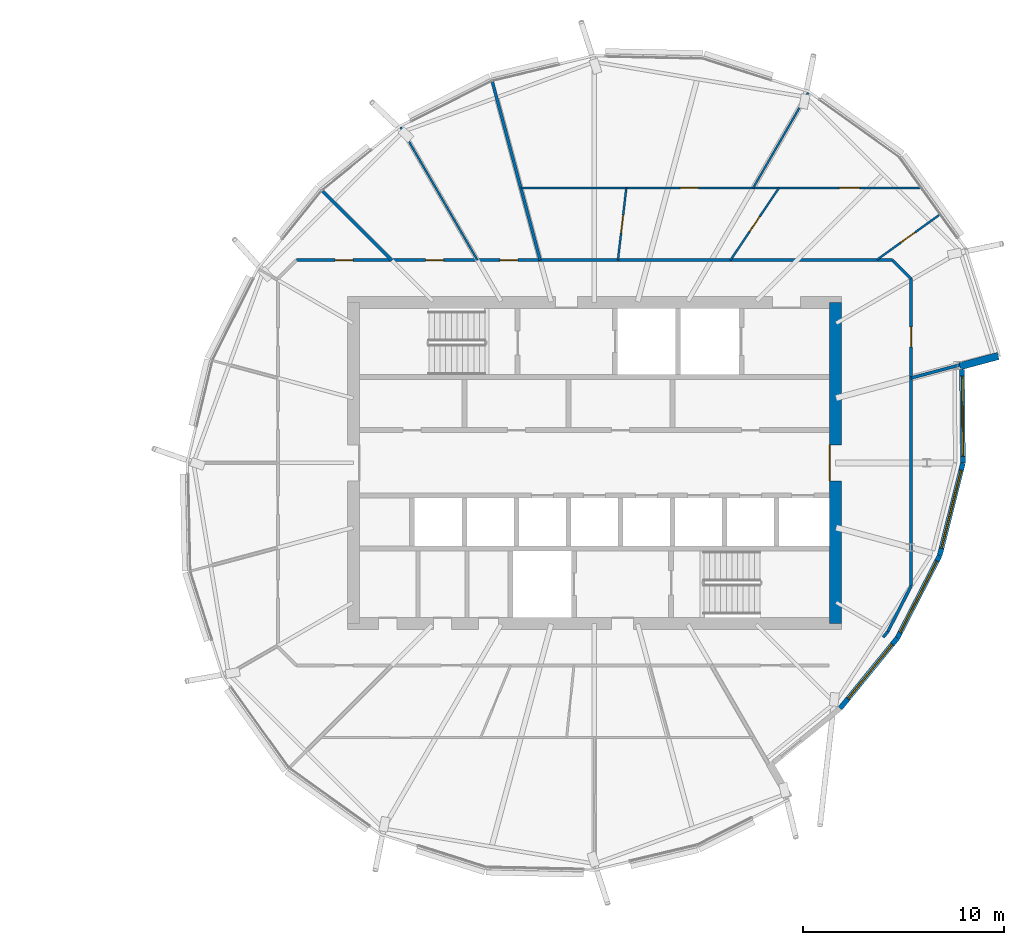
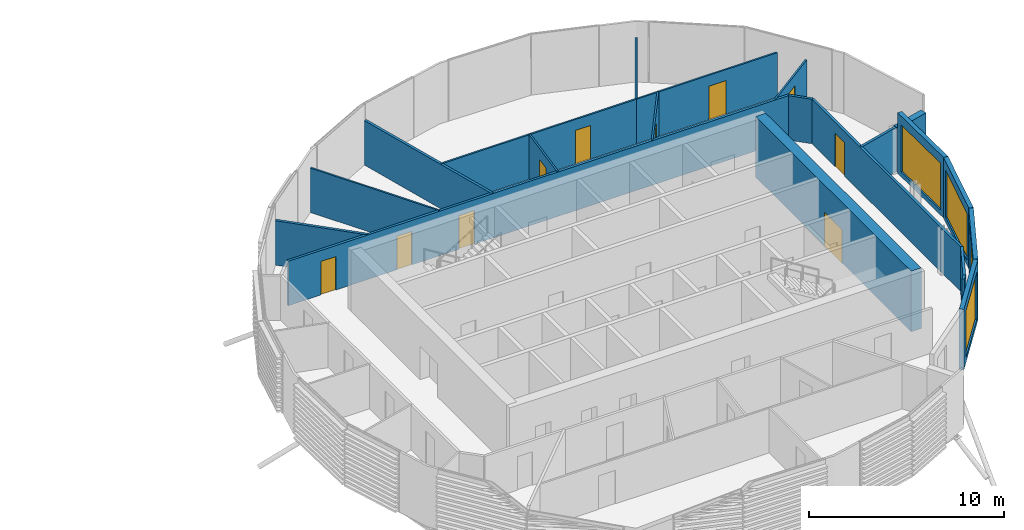
# One storey, part 23 of 35: 21 walls, 10 doors, 4 windows, 14 openings.
"""IFC4 building model written with IfcOpenShell, lengths in metres."""

from ifc_helpers import new_model, si_unit, direction, frame, frame_2d, origin, place, context, subcontext, project, spatial, rectangle, extrude, material, layer, layer_set, type_object, element, fill, save


model = new_model("IFC4")

# Units and contexts
model_context = context("Model", 3, precision=1e-05, world=origin(), true_north=direction((0.0, 1.0)))
body_context = subcontext(model_context, "Body", "Model", "MODEL_VIEW")
ifc_project = project(units=[si_unit("LENGTHUNIT", "METRE"), si_unit("AREAUNIT", "SQUARE_METRE"), si_unit("VOLUMEUNIT", "CUBIC_METRE"), si_unit("PLANEANGLEUNIT", "RADIAN"), si_unit("MASSUNIT", "GRAM", prefix="KILO")], contexts=[model_context])

# Site, building, storey
site_placement = place(None, origin())
site = spatial("IfcSite", under=ifc_project, at=site_placement, CompositionType="ELEMENT")
building_placement = place(site_placement, origin())
building = spatial("IfcBuilding", under=site, at=building_placement, Name="Rimbun Link Towers", CompositionType="ELEMENT")
storey_placement = place(building_placement, frame((0.0, 0.0, 196.89990234375)))
storey = spatial("IfcBuildingStorey", under=building, at=storey_placement, Name="L48", CompositionType="ELEMENT", Elevation=196.89990234375)

# Wall, opening, window
ifc_material_1 = material(Name="Dark enamelled glass spandrel on insulated aluminium backpan", Category="aluminium")
ifc_layer_1 = layer(ifc_material_1, 0.25)
ifc_layer_set_1 = layer_set([ifc_layer_1], Name="CS dark enamelled spandrel wall 250")
wall_type_1 = type_object("IfcWallType", Name="CS dark enamelled spandrel wall 250", PredefinedType="STANDARD", material=ifc_layer_set_1)
wall_1_placement = place(storey_placement, frame((46.84912109375, -8.725341796875, 0.0), z_axis=(0.0, 0.0, 1.0), x_axis=(-0.63152540021, -0.775355188858, 0.0)))
wall_1 = element("IfcWall", 1, at=wall_1_placement, inside=storey, type_object=wall_type_1, Name="Crease spandrel wall", PredefinedType="STANDARD", context=body_context, shape_type="SweptSolid", body=[
    extrude(rectangle(XDim=4.530517578125, YDim=0.25, at=frame_2d((2.26513671875, 0.0))), origin(), (0.0, 0.0, 1.0), 3.800048828125),
])
opening_1_placement = place(wall_1_placement, frame((0.404296875, 0.0, 0.300048828125)))
opening_1 = element("IfcOpeningElement", 2, at=opening_1_placement, cuts=wall_1, Name="Opening WR35H295", PredefinedType="OPENING", context=body_context, shape_type="SweptSolid", body=[
    extrude(rectangle(XDim=3.5, YDim=2.949951171875, at=frame_2d((1.75, 1.47509765625))), frame((0.0, 0.135009765625, 0.0), z_axis=(0.0, -1.0, 0.0), x_axis=(1.0, 0.0, 0.0)), (0.0, 0.0, 1.0), 0.27001953125),
])
ifc_material_2 = material(Name="Aluminium framed fixed window, dark tinted low-e glass", Category="aluminium")
window_type_1 = type_object("IfcWindowType", Name="WR ribbon window 3500X2950", PartitioningType="SINGLE_PANEL", PredefinedType="WINDOW", material=ifc_material_2)
window_1_placement = place(opening_1_placement, origin())
window_1 = element("IfcWindow", 3, at=window_1_placement, inside=storey, type_object=window_type_1, Name="Crease ribbon window", OverallHeight=2.949951171875, OverallWidth=3.5, PartitioningType="SINGLE_PANEL", PredefinedType="WINDOW", context=body_context, shape_type="SweptSolid", body=[
    extrude(rectangle(XDim=3.5, YDim=2.949951171875, at=frame_2d((1.75, 1.47509765625))), frame((0.0, 0.030029296875, 0.0), z_axis=(0.0, -1.0, 0.0), x_axis=(1.0, 0.0, 0.0)), (0.0, 0.0, 1.0), 0.06005859375),
])
fill(opening_1, window_1)

wall_2_placement = place(storey_placement, frame((48.952392578125, -4.6220703125, 0.0), z_axis=(0.0, 0.0, 1.0), x_axis=(-0.456150021811, -0.889902892232, 0.0)))
wall_2 = element("IfcWall", 4, at=wall_2_placement, inside=storey, type_object=wall_type_1, Name="Crease spandrel wall", PredefinedType="STANDARD", context=body_context, shape_type="SweptSolid", body=[
    extrude(rectangle(XDim=4.61083984375, YDim=0.25, at=frame_2d((2.305419921875, 0.0))), origin(), (0.0, 0.0, 1.0), 3.800048828125),
])
opening_2_placement = place(wall_2_placement, frame((0.305419921875, 0.0, 0.300048828125)))
opening_2 = element("IfcOpeningElement", 5, at=opening_2_placement, cuts=wall_2, Name="Opening WR40H295", PredefinedType="OPENING", context=body_context, shape_type="SweptSolid", body=[
    extrude(rectangle(XDim=4.0, YDim=2.949951171875, at=frame_2d((2.0, 1.47509765625))), frame((0.0, 0.135009765625, 0.0), z_axis=(0.0, -1.0, 0.0), x_axis=(1.0, 0.0, 0.0)), (0.0, 0.0, 1.0), 0.27001953125),
])
ifc_material_3 = material(Name="Aluminium framed fixed window, dark tinted low-e glass", Category="aluminium")
window_type_2 = type_object("IfcWindowType", Name="WR ribbon window 4000X2950", PartitioningType="SINGLE_PANEL", PredefinedType="WINDOW", material=ifc_material_3)
window_2_placement = place(opening_2_placement, origin())
window_2 = element("IfcWindow", 6, at=window_2_placement, inside=storey, type_object=window_type_2, Name="Crease ribbon window", OverallHeight=2.949951171875, OverallWidth=4.0, PartitioningType="SINGLE_PANEL", PredefinedType="WINDOW", context=body_context, shape_type="SweptSolid", body=[
    extrude(rectangle(XDim=4.0, YDim=2.949951171875, at=frame_2d((2.0, 1.47509765625))), frame((0.0, 0.030029296875, 0.0), z_axis=(0.0, -1.0, 0.0), x_axis=(1.0, 0.0, 0.0)), (0.0, 0.0, 1.0), 0.06005859375),
])
fill(opening_2, window_2)

wall_3_placement = place(storey_placement, frame((50.1103515625, -0.014892578125, 0.0), z_axis=(0.0, 0.0, 1.0), x_axis=(-0.243756771227, -0.96983639676, 0.0)))
wall_3 = element("IfcWall", 7, at=wall_3_placement, inside=storey, type_object=wall_type_1, Name="Crease spandrel wall", PredefinedType="STANDARD", context=body_context, shape_type="SweptSolid", body=[
    extrude(rectangle(XDim=4.75048828125, YDim=0.25, at=frame_2d((2.375244140625, 0.0))), origin(), (0.0, 0.0, 1.0), 3.800048828125),
])
opening_3_placement = place(wall_3_placement, frame((0.375244140625, 0.0, 0.300048828125)))
opening_3 = element("IfcOpeningElement", 8, at=opening_3_placement, cuts=wall_3, Name="Opening WR40H295", PredefinedType="OPENING", context=body_context, shape_type="SweptSolid", body=[
    extrude(rectangle(XDim=4.0, YDim=2.949951171875, at=frame_2d((2.0, 1.47509765625))), frame((0.0, 0.135009765625, 0.0), z_axis=(0.0, -1.0, 0.0), x_axis=(1.0, 0.0, 0.0)), (0.0, 0.0, 1.0), 0.27001953125),
])
window_3_placement = place(opening_3_placement, origin())
window_3 = element("IfcWindow", 9, at=window_3_placement, inside=storey, type_object=window_type_2, Name="Crease ribbon window", OverallHeight=2.949951171875, OverallWidth=4.0, PartitioningType="SINGLE_PANEL", PredefinedType="WINDOW", context=body_context, shape_type="SweptSolid", body=[
    extrude(rectangle(XDim=4.0, YDim=2.949951171875, at=frame_2d((2.0, 1.47509765625))), frame((0.0, 0.030029296875, 0.0), z_axis=(0.0, -1.0, 0.0), x_axis=(1.0, 0.0, 0.0)), (0.0, 0.0, 1.0), 0.06005859375),
])
fill(opening_3, window_3)

wall_4_placement = place(storey_placement, frame((50.066650390625, 4.649169921875, 0.0), z_axis=(0.0, 0.0, 1.0), x_axis=(0.009369354224, -0.999956106637, 0.0)))
wall_4 = element("IfcWall", 10, at=wall_4_placement, inside=storey, type_object=wall_type_1, Name="Crease spandrel wall", PredefinedType="STANDARD", context=body_context, shape_type="SweptSolid", body=[
    extrude(rectangle(XDim=4.664306640625, YDim=0.25, at=frame_2d((2.33203125, 0.0))), origin(), (0.0, 0.0, 1.0), 3.800048828125),
])
opening_4_placement = place(wall_4_placement, frame((0.33203125, 0.0, 0.300048828125)))
opening_4 = element("IfcOpeningElement", 11, at=opening_4_placement, cuts=wall_4, Name="Opening WR40H295", PredefinedType="OPENING", context=body_context, shape_type="SweptSolid", body=[
    extrude(rectangle(XDim=4.0, YDim=2.949951171875, at=frame_2d((2.0, 1.47509765625))), frame((0.0, 0.135009765625, 0.0), z_axis=(0.0, -1.0, 0.0), x_axis=(1.0, 0.0, 0.0)), (0.0, 0.0, 1.0), 0.27001953125),
])
window_4_placement = place(opening_4_placement, origin())
window_4 = element("IfcWindow", 12, at=window_4_placement, inside=storey, type_object=window_type_2, Name="Crease ribbon window", OverallHeight=2.949951171875, OverallWidth=4.0, PartitioningType="SINGLE_PANEL", PredefinedType="WINDOW", context=body_context, shape_type="SweptSolid", body=[
    extrude(rectangle(XDim=4.0, YDim=2.949951171875, at=frame_2d((2.0, 1.47509765625))), frame((0.0, 0.030029296875, 0.0), z_axis=(0.0, -1.0, 0.0), x_axis=(1.0, 0.0, 0.0)), (0.0, 0.0, 1.0), 0.06005859375),
])
fill(opening_4, window_4)

# Wall
ifc_material_4 = material(Name="Dark enamelled glass spandrel on insulated aluminium backpan", Category="aluminium")
ifc_layer_2 = layer(ifc_material_4, 0.3701171875)
ifc_layer_set_2 = layer_set([ifc_layer_2], Name="CS dark enamelled spandrel wall 370")
wall_type_2 = type_object("IfcWallType", Name="CS dark enamelled spandrel wall 370", PredefinedType="STANDARD", material=ifc_layer_set_2)
wall_5_placement = place(storey_placement, frame((51.868896484375, 5.323486328125, 0.0), z_axis=(0.0, 0.0, 1.0), x_axis=(-0.965921079275, -0.258836760551, 0.0)))
element("IfcWall", 13, at=wall_5_placement, inside=storey, type_object=wall_type_2, Name="Crease spandrel wall", PredefinedType="STANDARD", context=body_context, shape_type="SweptSolid", body=[
    extrude(rectangle(XDim=1.979736328125, YDim=0.3701171875, at=frame_2d((0.98974609375, 0.0))), origin(), (0.0, 0.0, 1.0), 2.79931640625),
])

# Wall, opening, door
ifc_material_5 = material(Name="Concrete C60/75", Category="concrete")
ifc_layer_3 = layer(ifc_material_5, 0.60009765625)
ifc_layer_set_3 = layer_set([ifc_layer_3], Name="Core shear wall 600")
wall_type_3 = type_object("IfcWallType", Name="Core shear wall 600", PredefinedType="SHEAR", material=ifc_layer_set_3)
wall_6_placement = place(storey_placement, frame((43.75, -8.0, 0.0), z_axis=(0.0, 0.0, 1.0), x_axis=(0.0, 1.0, 0.0)))
wall_6 = element("IfcWall", 14, at=wall_6_placement, inside=storey, type_object=wall_type_3, Name="L48 T2 core wall E", PredefinedType="SHEAR", context=body_context, shape_type="SweptSolid", body=[
    extrude(rectangle(XDim=16.0, YDim=0.60009765625, at=frame_2d((8.0, 0.0))), origin(), (0.0, 0.0, 1.0), 3.800048828125),
])
opening_5_placement = place(wall_6_placement, frame((7.10009765625, 0.0, 0.0)))
opening_5 = element("IfcOpeningElement", 15, at=opening_5_placement, cuts=wall_6, Name="Opening C2DCL01E", PredefinedType="OPENING", context=body_context, shape_type="SweptSolid", body=[
    extrude(rectangle(XDim=1.800048828125, YDim=2.10009765625, at=frame_2d((0.89990234375, 1.050048828125))), frame((0.0, 0.31005859375, 0.0), z_axis=(0.0, -1.0, 0.0), x_axis=(1.0, 0.0, 0.0)), (0.0, 0.0, 1.0), 0.6201171875),
])
ifc_material_6 = material(Name="Steel fire door set", Category="steel")
door_type_1 = type_object("IfcDoorType", Name="Core lobby door double", OperationType="DOUBLE_DOOR_SINGLE_SWING", PredefinedType="DOOR", material=ifc_material_6)
door_1_placement = place(opening_5_placement, origin())
door_1 = element("IfcDoor", 16, at=door_1_placement, inside=storey, type_object=door_type_1, Name="L48 T2 lift lobby door", OperationType="DOUBLE_DOOR_SINGLE_SWING", OverallHeight=2.10009765625, OverallWidth=1.800048828125, PredefinedType="DOOR", context=body_context, shape_type="SweptSolid", body=[
    extrude(rectangle(XDim=1.800048828125, YDim=2.10009765625, at=frame_2d((0.89990234375, 1.050048828125))), frame((0.0, 0.2998046875, 0.0), z_axis=(0.0, -1.0, 0.0), x_axis=(1.0, 0.0, 0.0)), (0.0, 0.0, 1.0), 0.050048828125),
])
fill(opening_5, door_1)

ifc_material_7 = material(Name="Plasterboard on steel stud, mineral wool", Category="steel")
ifc_layer_4 = layer(ifc_material_7, 0.14990234375)
ifc_layer_set_4 = layer_set([ifc_layer_4], Name="Corridor wall EI 30 150 mm")
wall_type_4 = type_object("IfcWallType", Name="Corridor wall EI 30 150 mm", PredefinedType="PARTITIONING", material=ifc_layer_set_4)
wall_7_placement = place(storey_placement, frame((47.52490234375, 9.173583984375, 0.0), z_axis=(0.0, 0.0, 1.0), x_axis=(0.0, -1.0, 0.0)))
wall_7 = element("IfcWall", 17, at=wall_7_placement, inside=storey, type_object=wall_type_4, Name="Corridor wall EI 30 150 mm", PredefinedType="PARTITIONING", context=body_context, shape_type="SweptSolid", body=[
    extrude(rectangle(XDim=15.31982421875, YDim=0.14990234375, at=frame_2d((7.659912109375, 0.0))), origin(), (0.0, 0.0, 1.0), 2.7890625),
])
opening_6_placement = place(wall_7_placement, frame((2.395263671875, 0.0, 0.0)))
opening_6 = element("IfcOpeningElement", 18, at=opening_6_placement, cuts=wall_7, Name="Opening D01", PredefinedType="OPENING", context=body_context, shape_type="SweptSolid", body=[
    extrude(rectangle(XDim=1.0, YDim=2.10009765625, at=frame_2d((0.5, 1.050048828125))), frame((0.0, 0.0849609375, 0.0), z_axis=(0.0, -1.0, 0.0), x_axis=(1.0, 0.0, 0.0)), (0.0, 0.0, 1.0), 0.169921875),
])
ifc_material_8 = material(Name="Fire-resisting timber door leaf", Category="wood")
door_type_2 = type_object("IfcDoorType", Name="Fire door FD30S 1000", OperationType="NOTDEFINED", PredefinedType="DOOR", material=ifc_material_8)
door_2_placement = place(opening_6_placement, origin())
door_2 = element("IfcDoor", 19, at=door_2_placement, inside=storey, type_object=door_type_2, Name="Fire door FD30S 1000 to Tenant lobby", OperationType="SINGLE_SWING_LEFT", OverallHeight=2.10009765625, OverallWidth=1.0, PredefinedType="DOOR", context=body_context, shape_type="SweptSolid", body=[
    extrude(rectangle(XDim=1.0, YDim=2.10009765625, at=frame_2d((0.5, 1.050048828125))), frame((0.0, 0.02490234375, 0.0), z_axis=(0.0, -1.0, 0.0), x_axis=(1.0, 0.0, 0.0)), (0.0, 0.0, 1.0), 0.050048828125),
])
fill(opening_6, door_2)

# Walls
wall_8_placement = place(storey_placement, frame((46.364990234375, -8.4091796875, 0.0), z_axis=(0.0, 0.0, 1.0), x_axis=(0.45613926408, 0.88990840639, 0.0)))
element("IfcWall", 20, at=wall_8_placement, inside=storey, type_object=wall_type_4, Name="Corridor wall EI 30 150 mm", PredefinedType="PARTITIONING", context=body_context, shape_type="SweptSolid", body=[
    extrude(rectangle(XDim=2.54296875, YDim=0.14990234375, at=frame_2d((1.271484375, 0.0))), origin(), (0.0, 0.0, 1.0), 2.7890625),
])
wall_9_placement = place(storey_placement, frame((46.136962890625, -8.689208984375, 0.0), z_axis=(0.0, 0.0, 1.0), x_axis=(0.631432150482, 0.775431131267, 0.0)))
element("IfcWall", 21, at=wall_9_placement, inside=storey, type_object=wall_type_4, Name="Corridor wall EI 30 150 mm", PredefinedType="PARTITIONING", context=body_context, shape_type="SweptSolid", body=[
    extrude(rectangle(XDim=0.361083984375, YDim=0.14990234375, at=frame_2d((0.1806640625, 0.0))), origin(), (0.0, 0.0, 1.0), 2.7890625),
])

# Wall, openings, doors
wall_10_placement = place(storey_placement, frame((16.896240234375, 10.094970703125, 0.0), z_axis=(0.0, 0.0, 1.0), x_axis=(1.0, 0.0, 0.0)))
wall_10 = element("IfcWall", 22, at=wall_10_placement, inside=storey, type_object=wall_type_4, Name="Corridor wall EI 30 150 mm", PredefinedType="PARTITIONING", context=body_context, shape_type="SweptSolid", body=[
    extrude(rectangle(XDim=29.70751953125, YDim=0.14990234375, at=frame_2d((14.853759765625, 0.0))), origin(), (0.0, 0.0, 1.0), 2.7890625),
])
opening_7_placement = place(wall_10_placement, frame((10.136962890625, 0.0, 0.0)))
opening_7 = element("IfcOpeningElement", 23, at=opening_7_placement, cuts=wall_10, Name="Opening D02", PredefinedType="OPENING", context=body_context, shape_type="SweptSolid", body=[
    extrude(rectangle(XDim=0.89990234375, YDim=2.10009765625, at=frame_2d((0.449951171875, 1.050048828125))), frame((0.0, 0.0849609375, 0.0), z_axis=(0.0, -1.0, 0.0), x_axis=(1.0, 0.0, 0.0)), (0.0, 0.0, 1.0), 0.169921875),
])
opening_8_placement = place(wall_10_placement, frame((6.44189453125, 0.0, 0.0)))
opening_8 = element("IfcOpeningElement", 24, at=opening_8_placement, cuts=wall_10, Name="Opening D02", PredefinedType="OPENING", context=body_context, shape_type="SweptSolid", body=[
    extrude(rectangle(XDim=0.89990234375, YDim=2.10009765625, at=frame_2d((0.449951171875, 1.050048828125))), frame((0.0, 0.0849609375, 0.0), z_axis=(0.0, -1.0, 0.0), x_axis=(1.0, 0.0, 0.0)), (0.0, 0.0, 1.0), 0.169921875),
])
opening_9_placement = place(wall_10_placement, frame((1.92919921875, 0.0, 0.0)))
opening_9 = element("IfcOpeningElement", 25, at=opening_9_placement, cuts=wall_10, Name="Opening D02", PredefinedType="OPENING", context=body_context, shape_type="SweptSolid", body=[
    extrude(rectangle(XDim=0.89990234375, YDim=2.10009765625, at=frame_2d((0.449951171875, 1.050048828125))), frame((0.0, 0.0849609375, 0.0), z_axis=(0.0, -1.0, 0.0), x_axis=(1.0, 0.0, 0.0)), (0.0, 0.0, 1.0), 0.169921875),
])
ifc_material_9 = material(Name="Fire-resisting timber door leaf", Category="wood")
door_type_3 = type_object("IfcDoorType", Name="Fire door FD30S 900", OperationType="NOTDEFINED", PredefinedType="DOOR", material=ifc_material_9)
door_3_placement = place(opening_7_placement, origin())
door_3 = element("IfcDoor", 26, at=door_3_placement, inside=storey, type_object=door_type_3, Name="Fire door FD30S 900 to Training room", OperationType="SINGLE_SWING_RIGHT", OverallHeight=2.10009765625, OverallWidth=0.89990234375, PredefinedType="DOOR", context=body_context, shape_type="SweptSolid", body=[
    extrude(rectangle(XDim=0.89990234375, YDim=2.10009765625, at=frame_2d((0.449951171875, 1.050048828125))), frame((0.0, 0.02490234375, 0.0), z_axis=(0.0, -1.0, 0.0), x_axis=(1.0, 0.0, 0.0)), (0.0, 0.0, 1.0), 0.050048828125),
])
fill(opening_7, door_3)
door_4_placement = place(opening_8_placement, origin())
door_4 = element("IfcDoor", 27, at=door_4_placement, inside=storey, type_object=door_type_3, Name="Fire door FD30S 900 to Meeting room", OperationType="SINGLE_SWING_LEFT", OverallHeight=2.10009765625, OverallWidth=0.89990234375, PredefinedType="DOOR", context=body_context, shape_type="SweptSolid", body=[
    extrude(rectangle(XDim=0.89990234375, YDim=2.10009765625, at=frame_2d((0.449951171875, 1.050048828125))), frame((0.0, 0.02490234375, 0.0), z_axis=(0.0, -1.0, 0.0), x_axis=(1.0, 0.0, 0.0)), (0.0, 0.0, 1.0), 0.050048828125),
])
fill(opening_8, door_4)
door_5_placement = place(opening_9_placement, origin())
door_5 = element("IfcDoor", 28, at=door_5_placement, inside=storey, type_object=door_type_3, Name="Fire door FD30S 900 to Data room", OperationType="SINGLE_SWING_RIGHT", OverallHeight=2.10009765625, OverallWidth=0.89990234375, PredefinedType="DOOR", context=body_context, shape_type="SweptSolid", body=[
    extrude(rectangle(XDim=0.89990234375, YDim=2.10009765625, at=frame_2d((0.449951171875, 1.050048828125))), frame((0.0, 0.02490234375, 0.0), z_axis=(0.0, -1.0, 0.0), x_axis=(1.0, 0.0, 0.0)), (0.0, 0.0, 1.0), 0.050048828125),
])
fill(opening_9, door_5)

# Wall
wall_11_placement = place(storey_placement, frame((47.52490234375, 9.173583984375, 0.0), z_axis=(0.0, 0.0, 1.0), x_axis=(-0.707013081223, 0.707200468735, 0.0)))
element("IfcWall", 29, at=wall_11_placement, inside=storey, type_object=wall_type_4, Name="Corridor wall EI 30 150 mm", PredefinedType="PARTITIONING", context=body_context, shape_type="SweptSolid", body=[
    extrude(rectangle(XDim=1.302978515625, YDim=0.14990234375, at=frame_2d((0.6513671875, 0.0))), origin(), (0.0, 0.0, 1.0), 2.7890625),
])

# Wall, opening, door
ifc_material_10 = material(Name="Plasterboard on steel stud", Category="steel")
ifc_layer_5 = layer(ifc_material_10, 0.10009765625)
ifc_layer_set_5 = layer_set([ifc_layer_5], Name="Plasterboard partition 100 mm")
wall_type_5 = type_object("IfcWallType", Name="Plasterboard partition 100 mm", PredefinedType="PARTITIONING", material=ifc_layer_set_5)
wall_12_placement = place(storey_placement, frame((45.835693359375, 10.125, 0.0), z_axis=(0.0, 0.0, 1.0), x_axis=(0.812012555173, 0.583639966282, 0.0)))
wall_12 = element("IfcWall", 30, at=wall_12_placement, inside=storey, type_object=wall_type_5, Name="Plasterboard partition 100 mm", PredefinedType="PARTITIONING", context=body_context, shape_type="SweptSolid", body=[
    extrude(rectangle(XDim=3.851806640625, YDim=0.10009765625, at=frame_2d((1.92578125, 0.0))), origin(), (0.0, 0.0, 1.0), 2.7890625),
])
opening_10_placement = place(wall_12_placement, frame((1.4501953125, 0.0, 0.0)))
opening_10 = element("IfcOpeningElement", 31, at=opening_10_placement, cuts=wall_12, Name="Opening D04", PredefinedType="OPENING", context=body_context, shape_type="SweptSolid", body=[
    extrude(rectangle(XDim=0.89990234375, YDim=2.10009765625, at=frame_2d((0.449951171875, 1.050048828125))), frame((0.0, 0.06005859375, 0.0), z_axis=(0.0, -1.0, 0.0), x_axis=(1.0, 0.0, 0.0)), (0.0, 0.0, 1.0), 0.1201171875),
])
ifc_material_11 = material(Name="Timber door leaf", Category="wood")
door_type_4 = type_object("IfcDoorType", Name="Flush door 900", OperationType="NOTDEFINED", PredefinedType="DOOR", material=ifc_material_11)
door_6_placement = place(opening_10_placement, origin())
door_6 = element("IfcDoor", 32, at=door_6_placement, inside=storey, type_object=door_type_4, Name="Flush door 900 to Huddle room", OperationType="SINGLE_SWING_RIGHT", OverallHeight=2.10009765625, OverallWidth=0.89990234375, PredefinedType="DOOR", context=body_context, shape_type="SweptSolid", body=[
    extrude(rectangle(XDim=0.89990234375, YDim=2.10009765625, at=frame_2d((0.449951171875, 1.050048828125))), frame((0.0, 0.02490234375, 0.0), z_axis=(0.0, -1.0, 0.0), x_axis=(1.0, 0.0, 0.0)), (0.0, 0.0, 1.0), 0.050048828125),
])
fill(opening_10, door_6)

wall_13_placement = place(storey_placement, frame((38.525146484375, 10.094970703125, 0.0), z_axis=(0.0, 0.0, 1.0), x_axis=(0.557244545646, 0.830348430689, 0.0)))
wall_13 = element("IfcWall", 33, at=wall_13_placement, inside=storey, type_object=wall_type_5, Name="Plasterboard partition 100 mm", PredefinedType="PARTITIONING", context=body_context, shape_type="SweptSolid", body=[
    extrude(rectangle(XDim=4.335693359375, YDim=0.10009765625, at=frame_2d((2.16796875, 0.0))), origin(), (0.0, 0.0, 1.0), 2.7890625),
])
opening_11_placement = place(wall_13_placement, frame((1.7177734375, 0.0, 0.0)))
opening_11 = element("IfcOpeningElement", 34, at=opening_11_placement, cuts=wall_13, Name="Opening D04", PredefinedType="OPENING", context=body_context, shape_type="SweptSolid", body=[
    extrude(rectangle(XDim=0.89990234375, YDim=2.10009765625, at=frame_2d((0.449951171875, 1.050048828125))), frame((0.0, 0.06005859375, 0.0), z_axis=(0.0, -1.0, 0.0), x_axis=(1.0, 0.0, 0.0)), (0.0, 0.0, 1.0), 0.1201171875),
])
door_7_placement = place(opening_11_placement, origin())
door_7 = element("IfcDoor", 35, at=door_7_placement, inside=storey, type_object=door_type_4, Name="Flush door 900 to Huddle room", OperationType="SINGLE_SWING_RIGHT", OverallHeight=2.10009765625, OverallWidth=0.89990234375, PredefinedType="DOOR", context=body_context, shape_type="SweptSolid", body=[
    extrude(rectangle(XDim=0.89990234375, YDim=2.10009765625, at=frame_2d((0.449951171875, 1.050048828125))), frame((0.0, 0.02490234375, 0.0), z_axis=(0.0, -1.0, 0.0), x_axis=(1.0, 0.0, 0.0)), (0.0, 0.0, 1.0), 0.050048828125),
])
fill(opening_11, door_7)

wall_14_placement = place(storey_placement, frame((39.65673828125, 13.695068359375, 0.0), z_axis=(0.0, 0.0, 1.0), x_axis=(1.0, 0.0, 0.0)))
wall_14 = element("IfcWall", 36, at=wall_14_placement, inside=storey, type_object=wall_type_5, Name="Plasterboard partition 100 mm", PredefinedType="PARTITIONING", context=body_context, shape_type="SweptSolid", body=[
    extrude(rectangle(XDim=8.35791015625, YDim=0.10009765625, at=frame_2d((4.178955078125, 0.0))), origin(), (0.0, 0.0, 1.0), 2.7890625),
])
opening_12_placement = place(wall_14_placement, frame((4.302978515625, 0.0, 0.0)))
opening_12 = element("IfcOpeningElement", 37, at=opening_12_placement, cuts=wall_14, Name="Opening D03", PredefinedType="OPENING", context=body_context, shape_type="SweptSolid", body=[
    extrude(rectangle(XDim=1.0, YDim=2.10009765625, at=frame_2d((0.5, 1.050048828125))), frame((0.0, 0.06005859375, 0.0), z_axis=(0.0, -1.0, 0.0), x_axis=(1.0, 0.0, 0.0)), (0.0, 0.0, 1.0), 0.1201171875),
])
ifc_material_12 = material(Name="Timber door leaf", Category="wood")
door_type_5 = type_object("IfcDoorType", Name="Flush door 1000", OperationType="NOTDEFINED", PredefinedType="DOOR", material=ifc_material_12)
door_8_placement = place(opening_12_placement, origin())
door_8 = element("IfcDoor", 38, at=door_8_placement, inside=storey, type_object=door_type_5, Name="Flush door 1000 to Open office", OperationType="SINGLE_SWING_RIGHT", OverallHeight=2.10009765625, OverallWidth=1.0, PredefinedType="DOOR", context=body_context, shape_type="SweptSolid", body=[
    extrude(rectangle(XDim=1.0, YDim=2.10009765625, at=frame_2d((0.5, 1.050048828125))), frame((0.0, 0.02490234375, 0.0), z_axis=(0.0, -1.0, 0.0), x_axis=(1.0, 0.0, 0.0)), (0.0, 0.0, 1.0), 0.050048828125),
])
fill(opening_12, door_8)

wall_15_placement = place(storey_placement, frame((32.919921875, 10.094970703125, 0.0), z_axis=(0.0, 0.0, 1.0), x_axis=(0.11512524295, 0.993350984514, 0.0)))
wall_15 = element("IfcWall", 39, at=wall_15_placement, inside=storey, type_object=wall_type_5, Name="Plasterboard partition 100 mm", PredefinedType="PARTITIONING", context=body_context, shape_type="SweptSolid", body=[
    extrude(rectangle(XDim=3.624267578125, YDim=0.10009765625, at=frame_2d((1.81201171875, 0.0))), origin(), (0.0, 0.0, 1.0), 2.7890625),
])
opening_13_placement = place(wall_15_placement, frame((1.362060546875, 0.0, 0.0)))
opening_13 = element("IfcOpeningElement", 40, at=opening_13_placement, cuts=wall_15, Name="Opening D04", PredefinedType="OPENING", context=body_context, shape_type="SweptSolid", body=[
    extrude(rectangle(XDim=0.89990234375, YDim=2.10009765625, at=frame_2d((0.449951171875, 1.050048828125))), frame((0.0, 0.06005859375, 0.0), z_axis=(0.0, -1.0, 0.0), x_axis=(1.0, 0.0, 0.0)), (0.0, 0.0, 1.0), 0.1201171875),
])
door_9_placement = place(opening_13_placement, origin())
door_9 = element("IfcDoor", 41, at=door_9_placement, inside=storey, type_object=door_type_4, Name="Flush door 900 to Pantry", OperationType="SINGLE_SWING_LEFT", OverallHeight=2.10009765625, OverallWidth=0.89990234375, PredefinedType="DOOR", context=body_context, shape_type="SweptSolid", body=[
    extrude(rectangle(XDim=0.89990234375, YDim=2.10009765625, at=frame_2d((0.449951171875, 1.050048828125))), frame((0.0, 0.02490234375, 0.0), z_axis=(0.0, -1.0, 0.0), x_axis=(1.0, 0.0, 0.0)), (0.0, 0.0, 1.0), 0.050048828125),
])
fill(opening_13, door_9)

wall_16_placement = place(storey_placement, frame((28.08056640625, 13.695068359375, 0.0), z_axis=(0.0, 0.0, 1.0), x_axis=(1.0, 0.0, 0.0)))
wall_16 = element("IfcWall", 42, at=wall_16_placement, inside=storey, type_object=wall_type_5, Name="Plasterboard partition 100 mm", PredefinedType="PARTITIONING", context=body_context, shape_type="SweptSolid", body=[
    extrude(rectangle(XDim=11.576171875, YDim=0.10009765625, at=frame_2d((5.7880859375, 0.0))), origin(), (0.0, 0.0, 1.0), 2.7890625),
])
opening_14_placement = place(wall_16_placement, frame((7.951416015625, 0.0, 0.0)))
opening_14 = element("IfcOpeningElement", 43, at=opening_14_placement, cuts=wall_16, Name="Opening D04", PredefinedType="OPENING", context=body_context, shape_type="SweptSolid", body=[
    extrude(rectangle(XDim=0.89990234375, YDim=2.10009765625, at=frame_2d((0.449951171875, 1.050048828125))), frame((0.0, 0.06005859375, 0.0), z_axis=(0.0, -1.0, 0.0), x_axis=(1.0, 0.0, 0.0)), (0.0, 0.0, 1.0), 0.1201171875),
])
door_10_placement = place(opening_14_placement, origin())
door_10 = element("IfcDoor", 44, at=door_10_placement, inside=storey, type_object=door_type_4, Name="Flush door 900 to Project room", OperationType="SINGLE_SWING_LEFT", OverallHeight=2.10009765625, OverallWidth=0.89990234375, PredefinedType="DOOR", context=body_context, shape_type="SweptSolid", body=[
    extrude(rectangle(XDim=0.89990234375, YDim=2.10009765625, at=frame_2d((0.449951171875, 1.050048828125))), frame((0.0, 0.02490234375, 0.0), z_axis=(0.0, -1.0, 0.0), x_axis=(1.0, 0.0, 0.0)), (0.0, 0.0, 1.0), 0.050048828125),
])
fill(opening_14, door_10)

# Walls
wall_17_placement = place(storey_placement, frame((42.4013671875, 18.44873046875, 0.0), z_axis=(0.0, 0.0, 1.0), x_axis=(-0.500013773731, -0.866017451371, 0.0)))
element("IfcWall", 45, at=wall_17_placement, inside=storey, type_object=wall_type_5, Name="Plasterboard partition 100 mm", PredefinedType="PARTITIONING", context=body_context, shape_type="SweptSolid", body=[
    extrude(rectangle(XDim=5.489013671875, YDim=0.10009765625, at=frame_2d((2.74462890625, 0.0))), origin(), (0.0, 0.0, 1.0), 2.7890625),
])
wall_18_placement = place(storey_placement, frame((22.09326171875, 16.725830078125, 0.0), z_axis=(0.0, 0.0, 1.0), x_axis=(0.500003986271, -0.866023102297, 0.0)))
element("IfcWall", 46, at=wall_18_placement, inside=storey, type_object=wall_type_5, Name="Plasterboard partition 100 mm", PredefinedType="PARTITIONING", context=body_context, shape_type="SweptSolid", body=[
    extrude(rectangle(XDim=7.65673828125, YDim=0.10009765625, at=frame_2d((3.828369140625, 0.0))), origin(), (0.0, 0.0, 1.0), 2.7890625),
])
ifc_material_13 = material(Name="Plasterboard on steel stud, mineral wool", Category="steel")
ifc_layer_6 = layer(ifc_material_13, 0.14990234375)
ifc_layer_set_6 = layer_set([ifc_layer_6], Name="Tenancy separation wall EI 60 150 mm")
wall_type_6 = type_object("IfcWallType", Name="Tenancy separation wall EI 60 150 mm", PredefinedType="PARTITIONING", material=ifc_layer_set_6)
wall_19_placement = place(storey_placement, frame((29.045166015625, 10.094970703125, 0.0), z_axis=(0.0, 0.0, 1.0), x_axis=(-0.258833857625, 0.965921857164, 0.0)))
element("IfcWall", 47, at=wall_19_placement, inside=storey, type_object=wall_type_6, Name="Tenancy separation wall EI 60 150 mm", PredefinedType="PARTITIONING", context=body_context, shape_type="SweptSolid", body=[
    extrude(rectangle(XDim=9.236083984375, YDim=0.14990234375, at=frame_2d((4.6181640625, 0.0))), origin(), (0.0, 0.0, 1.0), 2.7890625),
])
wall_20_placement = place(storey_placement, frame((21.655029296875, 10.094970703125, 0.0), z_axis=(0.0, 0.0, 1.0), x_axis=(-0.707106781187, 0.707106781187, 0.0)))
element("IfcWall", 48, at=wall_20_placement, inside=storey, type_object=wall_type_6, Name="Tenancy separation wall EI 60 150 mm", PredefinedType="PARTITIONING", context=body_context, shape_type="SweptSolid", body=[
    extrude(rectangle(XDim=4.9052734375, YDim=0.14990234375, at=frame_2d((2.45263671875, 0.0))), origin(), (0.0, 0.0, 1.0), 2.7890625),
])
wall_21_placement = place(storey_placement, frame((47.52490234375, 4.226806640625, 0.0), z_axis=(0.0, 0.0, 1.0), x_axis=(0.965932795341, 0.258793034845, 0.0)))
element("IfcWall", 49, at=wall_21_placement, inside=storey, type_object=wall_type_6, Name="Tenancy separation wall EI 60 150 mm", PredefinedType="PARTITIONING", context=body_context, shape_type="SweptSolid", body=[
    extrude(rectangle(XDim=2.5, YDim=0.14990234375, at=frame_2d((1.25, 0.0))), origin(), (0.0, 0.0, 1.0), 2.7890625),
])

save(model, "model.ifc")
